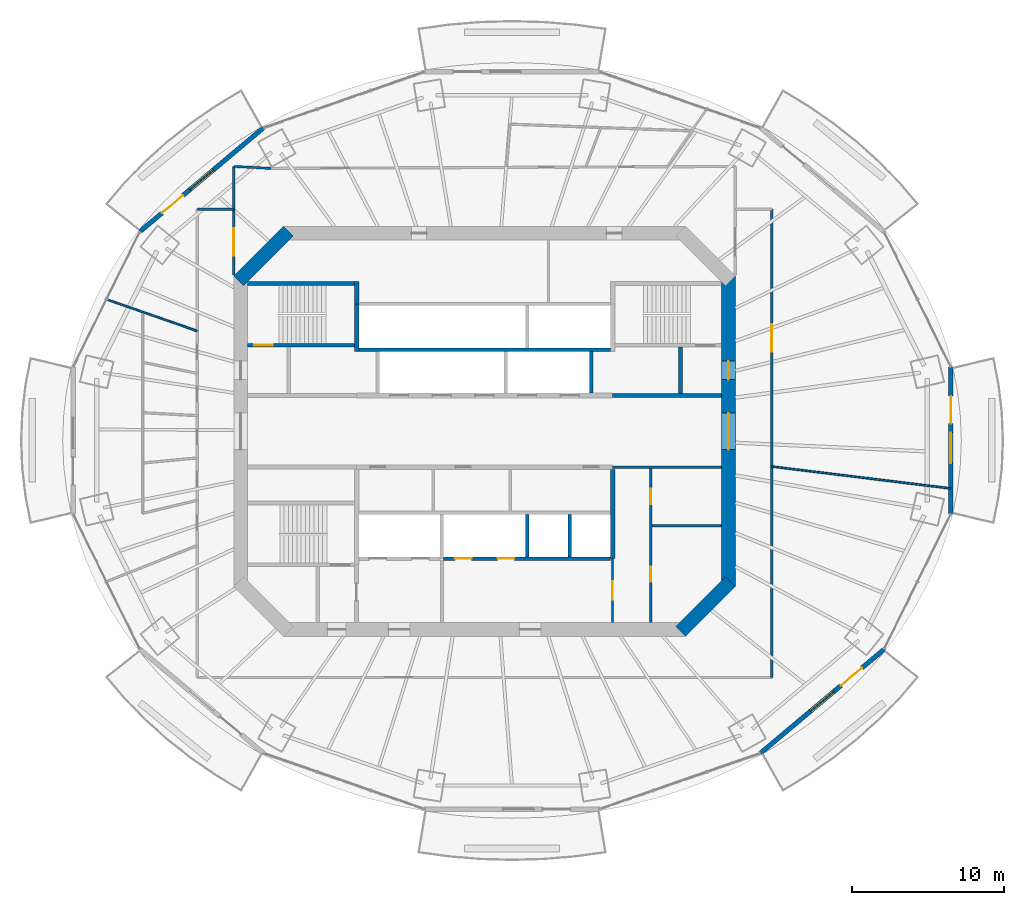
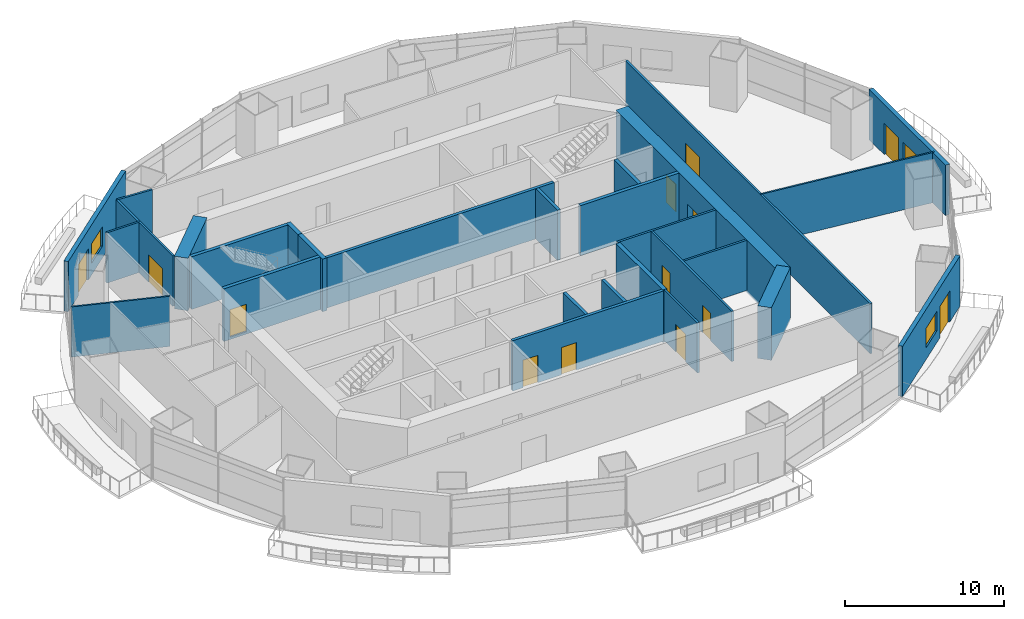
# One storey, part 12 of 16: 28 walls, 13 doors, 3 windows, 16 openings.
"""IFC4 building model written with IfcOpenShell, lengths in metres."""

import ifcopenshell
import ifcopenshell.guid

model = None  # the IFC model being written
_history = None  # IfcOwnerHistory: only IFC2X3 demands one
_inside = {}  # id of a spatial element -> (the spatial element, [elements in it])
_under = {}  # id of a project, library or spatial element -> (it, [spatial elements below it])
_declared = {}  # id of a project -> (the project, [libraries it declares])
_typed = {}  # id of a type object -> (the type object, [elements of that type])
_made_of = {}  # id of a material, layer set ... -> (it, [elements and type objects made of it])


def new_model(schema):
    """Start an empty IFC model of exactly this schema.

    Asked for "IFC4X3", IfcOpenShell would pick the latest addendum, in which some entities
    have other attributes; the version numbers below select the first issue.
    IFC2X3 requires an IfcOwnerHistory on every rooted entity: one is made here for all.
    """
    global model, _history
    if schema == "IFC4X3":
        model = ifcopenshell.file(schema_version=(4, 3, 0, 0))
    else:
        model = ifcopenshell.file(schema=schema)
    _inside.clear()
    _under.clear()
    _declared.clear()
    _typed.clear()
    _made_of.clear()
    _history = None
    if model.schema == "IFC2X3":
        org = make("IfcOrganization", Name="unknown")
        user = make(
            "IfcPersonAndOrganization",
            ThePerson=make("IfcPerson", FamilyName="unknown"),
            TheOrganization=org,
        )
        app = make(
            "IfcApplication",
            ApplicationDeveloper=org,
            Version="unknown",
            ApplicationFullName="unknown",
            ApplicationIdentifier="unknown",
        )
        _history = make(
            "IfcOwnerHistory",
            OwningUser=user,
            OwningApplication=app,
            ChangeAction="ADDED",
            CreationDate=0,
        )
    return model


def make(cls, **values):
    """One entity of the class cls with the attributes given. An attribute that is None is left unset."""
    return model.create_entity(
        cls, **{name: value for name, value in values.items() if value is not None}
    )


def rooted(cls, **values):
    """An entity with a GlobalId (a new one), such as an element, a storey or a relation."""
    return make(cls, GlobalId=ifcopenshell.guid.new(), OwnerHistory=_history, **values)


def si_unit(unit_type, name, prefix=None):
    """IfcSIUnit, for example si_unit("LENGTHUNIT", "METRE", prefix="MILLI")."""
    return make("IfcSIUnit", UnitType=unit_type, Prefix=prefix, Name=name)


def assignment(units):
    """IfcUnitAssignment: the units of a project."""
    return None if units is None else make("IfcUnitAssignment", Units=units)


def point(xyz):
    """IfcCartesianPoint."""
    return None if xyz is None else make("IfcCartesianPoint", Coordinates=xyz)


def direction(xyz):
    """IfcDirection."""
    return None if xyz is None else make("IfcDirection", DirectionRatios=xyz)


def frame(location, z_axis=None, x_axis=None):
    """IfcAxis2Placement3D, a coordinate frame: its origin and axes. An axis left out is left unset."""
    return make(
        "IfcAxis2Placement3D",
        Location=point(location),
        Axis=direction(z_axis),
        RefDirection=direction(x_axis),
    )


def frame_2d(location, x_axis=None):
    """IfcAxis2Placement2D, a coordinate frame in the plane: its origin and x axis."""
    return make(
        "IfcAxis2Placement2D", Location=point(location), RefDirection=direction(x_axis)
    )


def origin():
    """The frame at (0, 0, 0) with its axes left unset."""
    return frame((0.0, 0.0, 0.0))


def place(relative_to, where):
    """IfcLocalPlacement: puts the frame where relative to a parent placement (None: the world)."""
    return make(
        "IfcLocalPlacement", PlacementRelTo=relative_to, RelativePlacement=where
    )


def context(
    kind, dimensions, precision=None, world=None, true_north=None, identifier=None
):
    """IfcGeometricRepresentationContext, for example the 3D "Model" context."""
    return make(
        "IfcGeometricRepresentationContext",
        ContextIdentifier=identifier,
        ContextType=kind,
        CoordinateSpaceDimension=dimensions,
        Precision=precision,
        WorldCoordinateSystem=world,
        TrueNorth=true_north,
    )


def subcontext(parent, identifier, kind, view, scale=None):
    """IfcGeometricRepresentationSubContext, for example "Body" below "Model"."""
    return make(
        "IfcGeometricRepresentationSubContext",
        ContextIdentifier=identifier,
        ContextType=kind,
        ParentContext=parent,
        TargetScale=scale,
        TargetView=view,
    )


def project(units=None, contexts=None):
    """IfcProject with its units and contexts."""
    return rooted(
        "IfcProject",
        Name="project",
        RepresentationContexts=contexts,
        UnitsInContext=assignment(units),
    )


def spatial(cls, under=None, at=None, **own):
    """A site, building, storey or space (cls), placed at a placement, below another one or the project."""
    s = rooted(cls, ObjectPlacement=at, **own)
    if under is not None:
        _under.setdefault(under.id(), (under, []))[1].append(s)
    return s


def profile(cls, at=None, kind="AREA", **sizes):
    """A parametric profile (cls). Its sizes go by their IFC names, for example OverallWidth=200.0."""
    return make(cls, ProfileType=kind, Position=at, **sizes)


def rectangle(**sizes):
    """IfcRectangleProfileDef."""
    return profile("IfcRectangleProfileDef", **sizes)


def extrude(swept, where, along, depth):
    """IfcExtrudedAreaSolid: the profile swept, set in the frame where, extruded along a direction by depth."""
    return make(
        "IfcExtrudedAreaSolid",
        SweptArea=swept,
        Position=where,
        ExtrudedDirection=direction(along),
        Depth=depth,
    )


def shape(context_of_items, identifier, shape_type, items):
    """IfcShapeRepresentation: the items that make up one representation, for example the "Body"."""
    return make(
        "IfcShapeRepresentation",
        ContextOfItems=context_of_items,
        RepresentationIdentifier=identifier,
        RepresentationType=shape_type,
        Items=items,
    )


def material(Name=None, Category=None):
    """IfcMaterial."""
    return make("IfcMaterial", Name=Name, Category=Category)


def layer(
    of_material, thickness, ventilated=None, Name=None, Category=None, Priority=None
):
    """IfcMaterialLayer: one layer of a wall or slab, of a material (None: an air gap)."""
    return make(
        "IfcMaterialLayer",
        Material=of_material,
        LayerThickness=thickness,
        IsVentilated=ventilated,
        Name=Name,
        Category=Category,
        Priority=Priority,
    )


def layer_set(layers, Name=None):
    """IfcMaterialLayerSet."""
    return make("IfcMaterialLayerSet", MaterialLayers=layers, LayerSetName=Name)


def made_of(thing, what):
    """Note that an element or type object is made of a material, layer set ...; save() writes the relation."""
    if what is not None:
        _made_of.setdefault(what.id(), (what, []))[1].append(thing)
    return thing


def type_object(cls, material=None, **own):
    """A type object (cls), such as IfcWallType, which elements share."""
    return made_of(rooted(cls, **own), material)


def element(
    cls,
    number,
    at=None,
    inside=None,
    cuts=None,
    type_object=None,
    material=None,
    context=None,
    identifier="Body",
    shape_type=None,
    held_by="IfcProductDefinitionShape",
    body=None,
    shapes=None,
    **own,
):
    """One element of the class cls, such as IfcWall. Its Tag is "e" and its number.

    at: its placement. inside: the storey or other place that contains it. cuts: it is an
    opening in that element (IfcRelVoidsElement). A single representation is given by context,
    identifier, shape_type and body (its items); several are given by shapes. held_by: the class
    of the entity that holds the representations. save() writes the other relations.
    """
    e = rooted(cls, Tag="e%d" % number, ObjectPlacement=at, **own)
    if body is not None:
        shapes = [shape(context, identifier, shape_type, body)]
    if shapes is not None:
        e.Representation = make(held_by, Representations=shapes)
    if inside is not None:
        _inside.setdefault(inside.id(), (inside, []))[1].append(e)
    if cuts is not None:
        rooted(
            "IfcRelVoidsElement", RelatingBuildingElement=cuts, RelatedOpeningElement=e
        )
    if type_object is not None:
        _typed.setdefault(type_object.id(), (type_object, []))[1].append(e)
    return made_of(e, material)


def fill(opening, filler):
    """IfcRelFillsElement: the door or window that sits in an opening."""
    return rooted(
        "IfcRelFillsElement",
        RelatingOpeningElement=opening,
        RelatedBuildingElement=filler,
    )


def aggregate(whole, parts):
    """IfcRelAggregates: a whole, such as a stair, and the parts it consists of."""
    return rooted("IfcRelAggregates", RelatingObject=whole, RelatedObjects=parts)


def save(model, path):
    """Write the relations noted so far, then the file.

    IfcRelAggregates (storeys below a building ...), IfcRelContainedInSpatialStructure (elements
    in a storey), IfcRelDefinesByType, IfcRelAssociatesMaterial and IfcRelDeclares: one each for
    every whole, place, type object, material and project.
    """
    for whole, parts in _under.values():
        aggregate(whole, parts)
    for where, things in _inside.values():
        rooted(
            "IfcRelContainedInSpatialStructure",
            RelatedElements=things,
            RelatingStructure=where,
        )
    for kind, things in _typed.values():
        rooted("IfcRelDefinesByType", RelatedObjects=things, RelatingType=kind)
    for what, things in _made_of.values():
        rooted("IfcRelAssociatesMaterial", RelatedObjects=things, RelatingMaterial=what)
    for by, libraries in _declared.values():
        rooted("IfcRelDeclares", RelatingContext=by, RelatedDefinitions=libraries)
    model.write(path)


model = new_model("IFC4")

# Units and contexts
model_context = context("Model", 3, precision=1e-05, world=origin(), true_north=direction((0.0, 1.0)))
body_context = subcontext(model_context, "Body", "Model", "MODEL_VIEW")
ifc_project = project(units=[si_unit("LENGTHUNIT", "METRE"), si_unit("AREAUNIT", "SQUARE_METRE"), si_unit("VOLUMEUNIT", "CUBIC_METRE"), si_unit("PLANEANGLEUNIT", "RADIAN"), si_unit("MASSUNIT", "GRAM", prefix="KILO")], contexts=[model_context])

# Site, building, storey
site_placement = place(None, origin())
site = spatial("IfcSite", under=ifc_project, at=site_placement, CompositionType="ELEMENT")
building_placement = place(site_placement, origin())
building = spatial("IfcBuilding", under=site, at=building_placement, Name="Marenthal Gate Tower", CompositionType="ELEMENT")
storey_placement = place(building_placement, frame((0.0, 0.0, 268.949951171875)))
storey = spatial("IfcBuildingStorey", under=building, at=storey_placement, Name="L60", CompositionType="ELEMENT", Elevation=268.949951171875)

# Wall
ifc_material_1 = material(Name="Concrete 60 MPa", Category="concrete")
ifc_layer_1 = layer(ifc_material_1, 0.89990234375)
ifc_layer_set_1 = layer_set([ifc_layer_1], Name="Core shear wall 900")
wall_type_1 = type_object("IfcWallType", Name="Core shear wall 900", PredefinedType="SHEAR", material=ifc_layer_set_1)
wall_1_placement = place(storey_placement, frame((12.8681640625, -13.1318359375, -0.179931640625), z_axis=(0.0, 0.0, 1.0), x_axis=(0.707106781187, 0.707106781187, 0.0)))
element("IfcWall", 1, at=wall_1_placement, inside=storey, type_object=wall_type_1, Name="Core wall 01", PredefinedType="SHEAR", context=body_context, shape_type="SweptSolid", body=[
    extrude(rectangle(XDim=4.615478515625, YDim=0.89990234375, at=frame_2d((2.3076171875, 0.0))), origin(), (0.0, 0.0, 1.0), 4.030029296875),
])

# Wall, openings, doors
wall_2_placement = place(storey_placement, frame((16.0, -10.186279296875, -0.179931640625), z_axis=(0.0, 0.0, 1.0), x_axis=(0.0, 1.0, 0.0)))
wall_2 = element("IfcWall", 2, at=wall_2_placement, inside=storey, type_object=wall_type_1, Name="Core wall 02", PredefinedType="SHEAR", context=body_context, shape_type="SweptSolid", body=[
    extrude(rectangle(XDim=20.37255859375, YDim=0.89990234375, at=frame_2d((10.186279296875, 0.0))), origin(), (0.0, 0.0, 1.0), 4.030029296875),
])
opening_1_placement = place(wall_2_placement, frame((8.986328125, 0.0, 0.179931640625)))
opening_1 = element("IfcOpeningElement", 3, at=opening_1_placement, cuts=wall_2, Name="Opening D003.02", PredefinedType="OPENING", context=body_context, shape_type="SweptSolid", body=[
    extrude(rectangle(XDim=2.39990234375, YDim=2.10009765625, at=frame_2d((1.199951171875, 1.050048828125))), frame((0.0, 0.4599609375, 0.0), z_axis=(0.0, -1.0, 0.0), x_axis=(1.0, 0.0, 0.0)), (0.0, 0.0, 1.0), 0.919921875),
])
opening_2_placement = place(wall_2_placement, frame((13.58642578125, 0.0, 0.179931640625)))
opening_2 = element("IfcOpeningElement", 4, at=opening_2_placement, cuts=wall_2, Name="Opening D001.05", PredefinedType="OPENING", context=body_context, shape_type="SweptSolid", body=[
    extrude(rectangle(XDim=1.199951171875, YDim=2.10009765625, at=frame_2d((0.60009765625, 1.050048828125))), frame((0.0, 0.4599609375, 0.0), z_axis=(0.0, -1.0, 0.0), x_axis=(1.0, 0.0, 0.0)), (0.0, 0.0, 1.0), 0.919921875),
])
ifc_material_2 = material(Name="Steel fire door", Category="steel")
door_type_1 = type_object("IfcDoorType", Name="Double fire door FD 45 2400 x 2100", OperationType="DOUBLE_DOOR_SINGLE_SWING", PredefinedType="DOOR", material=ifc_material_2)
door_1_placement = place(opening_1_placement, origin())
door_1 = element("IfcDoor", 5, at=door_1_placement, inside=storey, type_object=door_type_1, Name="Door D003.02", OperationType="DOUBLE_DOOR_SINGLE_SWING", OverallHeight=2.10009765625, OverallWidth=2.39990234375, PredefinedType="DOOR", context=body_context, shape_type="SweptSolid", body=[
    extrude(rectangle(XDim=2.39990234375, YDim=2.10009765625, at=frame_2d((1.199951171875, 1.050048828125))), frame((0.0, 0.02490234375, 0.0), z_axis=(0.0, -1.0, 0.0), x_axis=(1.0, 0.0, 0.0)), (0.0, 0.0, 1.0), 0.050048828125),
])
fill(opening_1, door_1)
ifc_material_3 = material(Name="Steel fire door", Category="steel")
door_type_2 = type_object("IfcDoorType", Name="Fire door FD 90 1200 x 2100", OperationType="NOTDEFINED", PredefinedType="DOOR", material=ifc_material_3)
door_2_placement = place(opening_2_placement, origin())
door_2 = element("IfcDoor", 6, at=door_2_placement, inside=storey, type_object=door_type_2, Name="Door D001.05", OperationType="SINGLE_SWING_RIGHT", OverallHeight=2.10009765625, OverallWidth=1.199951171875, PredefinedType="DOOR", context=body_context, shape_type="SweptSolid", body=[
    extrude(rectangle(XDim=1.199951171875, YDim=2.10009765625, at=frame_2d((0.60009765625, 1.050048828125))), frame((0.0, 0.02490234375, 0.0), z_axis=(0.0, -1.0, 0.0), x_axis=(1.0, 0.0, 0.0)), (0.0, 0.0, 1.0), 0.050048828125),
])
fill(opening_2, door_2)

# Walls
wall_3_placement = place(storey_placement, frame((-12.8681640625, 13.1318359375, -0.179931640625), z_axis=(0.0, 0.0, 1.0), x_axis=(-0.707106781187, -0.707106781187, 0.0)))
element("IfcWall", 7, at=wall_3_placement, inside=storey, type_object=wall_type_1, Name="Core wall 05", PredefinedType="SHEAR", context=body_context, shape_type="SweptSolid", body=[
    extrude(rectangle(XDim=4.615478515625, YDim=0.89990234375, at=frame_2d((2.3076171875, 0.0))), origin(), (0.0, 0.0, 1.0), 4.030029296875),
])
ifc_material_4 = material(Name="Concrete 50 MPa", Category="concrete")
ifc_layer_2 = layer(ifc_material_4, 0.300048828125)
ifc_layer_set_2 = layer_set([ifc_layer_2], Name="Hoistway shear wall 300")
wall_type_2 = type_object("IfcWallType", Name="Hoistway shear wall 300", PredefinedType="SHEAR", material=ifc_layer_set_2)
wall_4_placement = place(storey_placement, frame((-8.39990234375, 5.239990234375, -0.179931640625), z_axis=(0.0, 0.0, 1.0), x_axis=(0.0, 1.0, 0.0)))
element("IfcWall", 8, at=wall_4_placement, inside=storey, type_object=wall_type_2, Name="Hoistway wall 31", PredefinedType="SHEAR", context=body_context, shape_type="SweptSolid", body=[
    extrude(rectangle(XDim=3.110107421875, YDim=0.300048828125, at=frame_2d((1.55517578125, 0.0))), origin(), (0.0, 0.0, 1.0), 4.030029296875),
])
wall_5_placement = place(storey_placement, frame((8.39990234375, -8.35009765625, -0.179931640625), z_axis=(0.0, 0.0, 1.0), x_axis=(0.0, 1.0, 0.0)))
element("IfcWall", 9, at=wall_5_placement, inside=storey, type_object=wall_type_2, Name="Hoistway wall 45", PredefinedType="SHEAR", context=body_context, shape_type="SweptSolid", body=[
    extrude(rectangle(XDim=5.85009765625, YDim=0.300048828125, at=frame_2d((2.925048828125, 0.0))), origin(), (0.0, 0.0, 1.0), 4.030029296875),
])

# Wall, openings, doors
ifc_material_5 = material(Name="Concrete 40 MPa", Category="concrete")
ifc_layer_3 = layer(ifc_material_5, 0.219970703125)
ifc_layer_set_3 = layer_set([ifc_layer_3], Name="Hoistway wall 220")
wall_type_3 = type_object("IfcWallType", Name="Hoistway wall 220", PredefinedType="STANDARD", material=ifc_layer_set_3)
wall_6_placement = place(storey_placement, frame((-2.68994140625, -8.35009765625, 0.0), z_axis=(0.0, 0.0, 1.0), x_axis=(1.0, 0.0, 0.0)))
wall_6 = element("IfcWall", 10, at=wall_6_placement, inside=storey, type_object=wall_type_3, Name="Hoistway wall 11", PredefinedType="STANDARD", context=body_context, shape_type="SweptSolid", body=[
    extrude(rectangle(XDim=10.93994140625, YDim=0.219970703125, at=frame_2d((5.469970703125, 0.0))), origin(), (0.0, 0.0, 1.0), 3.85009765625),
])
opening_3_placement = place(wall_6_placement, frame((0.739990234375, 0.0, 0.0)))
opening_3 = element("IfcOpeningElement", 11, at=opening_3_placement, cuts=wall_6, Name="Opening LD-SV1", PredefinedType="OPENING", context=body_context, shape_type="SweptSolid", body=[
    extrude(rectangle(XDim=1.10009765625, YDim=2.10009765625, at=frame_2d((0.550048828125, 1.050048828125))), frame((0.0, 0.1201171875, 0.0), z_axis=(0.0, -1.0, 0.0), x_axis=(1.0, 0.0, 0.0)), (0.0, 0.0, 1.0), 0.239990234375),
])
opening_4_placement = place(wall_6_placement, frame((3.5400390625, 0.0, 0.0)))
opening_4 = element("IfcOpeningElement", 12, at=opening_4_placement, cuts=wall_6, Name="Opening LD-SV2", PredefinedType="OPENING", context=body_context, shape_type="SweptSolid", body=[
    extrude(rectangle(XDim=1.10009765625, YDim=2.10009765625, at=frame_2d((0.550048828125, 1.050048828125))), frame((0.0, 0.1201171875, 0.0), z_axis=(0.0, -1.0, 0.0), x_axis=(1.0, 0.0, 0.0)), (0.0, 0.0, 1.0), 0.239990234375),
])
ifc_material_6 = material(Name="Stainless steel sliding door", Category="steel")
door_type_3 = type_object("IfcDoorType", Name="Lift landing door FD 90 1100 x 2100", OperationType="DOUBLE_DOOR_SLIDING", PredefinedType="DOOR", material=ifc_material_6)
door_3_placement = place(opening_3_placement, origin())
door_3 = element("IfcDoor", 13, at=door_3_placement, inside=storey, type_object=door_type_3, Name="Lift landing door SV1", OperationType="DOUBLE_DOOR_SLIDING", OverallHeight=2.10009765625, OverallWidth=1.10009765625, PredefinedType="DOOR", context=body_context, shape_type="SweptSolid", body=[
    extrude(rectangle(XDim=1.10009765625, YDim=2.10009765625, at=frame_2d((0.550048828125, 1.050048828125))), frame((0.0, 0.02490234375, 0.0), z_axis=(0.0, -1.0, 0.0), x_axis=(1.0, 0.0, 0.0)), (0.0, 0.0, 1.0), 0.050048828125),
])
fill(opening_3, door_3)
door_4_placement = place(opening_4_placement, origin())
door_4 = element("IfcDoor", 14, at=door_4_placement, inside=storey, type_object=door_type_3, Name="Lift landing door SV2", OperationType="DOUBLE_DOOR_SLIDING", OverallHeight=2.10009765625, OverallWidth=1.10009765625, PredefinedType="DOOR", context=body_context, shape_type="SweptSolid", body=[
    extrude(rectangle(XDim=1.10009765625, YDim=2.10009765625, at=frame_2d((0.550048828125, 1.050048828125))), frame((0.0, 0.02490234375, 0.0), z_axis=(0.0, -1.0, 0.0), x_axis=(1.0, 0.0, 0.0)), (0.0, 0.0, 1.0), 0.050048828125),
])
fill(opening_4, door_4)

# Walls
wall_7_placement = place(storey_placement, frame((-8.25, 5.35009765625, 0.0), z_axis=(0.0, 0.0, 1.0), x_axis=(1.0, 0.0, 0.0)))
element("IfcWall", 15, at=wall_7_placement, inside=storey, type_object=wall_type_3, Name="Hoistway wall 21", PredefinedType="STANDARD", context=body_context, shape_type="SweptSolid", body=[
    extrude(rectangle(XDim=16.5, YDim=0.219970703125, at=frame_2d((8.25, 0.0))), origin(), (0.0, 0.0, 1.0), 3.85009765625),
])
for number, where, z_axis, x_axis, name in (
    (16, (2.800048828125, -8.239990234375, 0.0), (0.0, 0.0, 1.0), (0.0, 1.0, 0.0), "Hoistway wall 39"),
    (17, (5.60009765625, -8.239990234375, 0.0), (0.0, 0.0, 1.0), (0.0, 1.0, 0.0), "Hoistway wall 42"),
):
    element("IfcWall", number, at=place(storey_placement, frame(where, z_axis=z_axis, x_axis=x_axis)), inside=storey, type_object=wall_type_3, Name=name, PredefinedType="STANDARD", context=body_context, shape_type="SweptSolid", body=[
        extrude(rectangle(XDim=2.780029296875, YDim=0.219970703125, at=frame_2d((1.39013671875, 0.0))), origin(), (0.0, 0.0, 1.0), 3.85009765625),
    ])
wall_8_placement = place(storey_placement, frame((7.0, 2.5, 0.0), z_axis=(0.0, 0.0, 1.0), x_axis=(0.0, 1.0, 0.0)))
element("IfcWall", 18, at=wall_8_placement, inside=storey, type_object=wall_type_3, Name="Hoistway wall 43", PredefinedType="STANDARD", context=body_context, shape_type="SweptSolid", body=[
    extrude(rectangle(XDim=2.739990234375, YDim=0.219970703125, at=frame_2d((1.3701171875, 0.0))), origin(), (0.0, 0.0, 1.0), 3.85009765625),
])
ifc_material_7 = material(Name="Gypsum board on steel studs", Category="steel")
ifc_layer_4 = layer(ifc_material_7, 0.1201171875)
ifc_layer_set_4 = layer_set([ifc_layer_4], Name="Partition 120")
wall_type_4 = type_object("IfcWallType", Name="Partition 120", PredefinedType="PARTITIONING", material=ifc_layer_set_4)
wall_9_placement = place(storey_placement, frame((-18.85009765625, 6.580078125, 0.0), z_axis=(0.0, 0.0, 1.0), x_axis=(-0.944129608836, 0.329574394819, 0.0)))
element("IfcWall", 19, at=wall_9_placement, inside=storey, type_object=wall_type_4, Name="Partition wall 57", PredefinedType="PARTITIONING", context=body_context, shape_type="SweptSolid", body=[
    extrude(rectangle(XDim=6.306884765625, YDim=0.1201171875, at=frame_2d((3.1533203125, 0.0))), origin(), (0.0, 0.0, 1.0), 3.85009765625),
])
wall_10_placement = place(storey_placement, frame((18.85009765625, -2.310302734375, 0.0), z_axis=(0.0, 0.0, 1.0), x_axis=(0.99257271965, -0.121652769002, 0.0)))
element("IfcWall", 20, at=wall_10_placement, inside=storey, type_object=wall_type_4, Name="Partition wall 69", PredefinedType="PARTITIONING", context=body_context, shape_type="SweptSolid", body=[
    extrude(rectangle(XDim=11.83447265625, YDim=0.1201171875, at=frame_2d((5.917236328125, 0.0))), origin(), (0.0, 0.0, 1.0), 3.85009765625),
])
ifc_material_8 = material(Name="Gypsum board on steel studs", Category="steel")
ifc_layer_5 = layer(ifc_material_8, 0.14990234375)
ifc_layer_set_5 = layer_set([ifc_layer_5], Name="Partition 150")
wall_type_5 = type_object("IfcWallType", Name="Partition 150", PredefinedType="PARTITIONING", material=ifc_layer_set_5)
wall_11_placement = place(storey_placement, frame((10.97509765625, -6.199951171875, 0.0), z_axis=(0.0, 0.0, 1.0), x_axis=(1.0, 0.0, 0.0)))
element("IfcWall", 21, at=wall_11_placement, inside=storey, type_object=wall_type_5, Name="Partition wall 12", PredefinedType="PARTITIONING", context=body_context, shape_type="SweptSolid", body=[
    extrude(rectangle(XDim=4.574951171875, YDim=0.14990234375, at=frame_2d((2.28759765625, 0.0))), origin(), (0.0, 0.0, 1.0), 3.85009765625),
])
wall_12_placement = place(storey_placement, frame((8.39990234375, -2.35009765625, 0.0), z_axis=(0.0, 0.0, 1.0), x_axis=(1.0, 0.0, 0.0)))
element("IfcWall", 22, at=wall_12_placement, inside=storey, type_object=wall_type_5, Name="Partition wall 17", PredefinedType="PARTITIONING", context=body_context, shape_type="SweptSolid", body=[
    extrude(rectangle(XDim=7.150146484375, YDim=0.14990234375, at=frame_2d((3.5751953125, 0.0))), origin(), (0.0, 0.0, 1.0), 3.85009765625),
])

# Wall, opening, door
wall_13_placement = place(storey_placement, frame((8.39990234375, -12.550048828125, 0.0), z_axis=(0.0, 0.0, 1.0), x_axis=(0.0, 1.0, 0.0)))
wall_13 = element("IfcWall", 23, at=wall_13_placement, inside=storey, type_object=wall_type_5, Name="Partition wall 44", PredefinedType="PARTITIONING", context=body_context, shape_type="SweptSolid", body=[
    extrude(rectangle(XDim=4.199951171875, YDim=0.14990234375, at=frame_2d((2.10009765625, 0.0))), origin(), (0.0, 0.0, 1.0), 3.85009765625),
])
opening_5_placement = place(wall_13_placement, frame((1.5, 0.0, 0.0)))
opening_5 = element("IfcOpeningElement", 24, at=opening_5_placement, cuts=wall_13, Name="Opening D006.01", PredefinedType="OPENING", context=body_context, shape_type="SweptSolid", body=[
    extrude(rectangle(XDim=1.199951171875, YDim=2.10009765625, at=frame_2d((0.60009765625, 1.050048828125))), frame((0.0, 0.0849609375, 0.0), z_axis=(0.0, -1.0, 0.0), x_axis=(1.0, 0.0, 0.0)), (0.0, 0.0, 1.0), 0.169921875),
])
ifc_material_9 = material(Name="Steel fire door", Category="steel")
door_type_4 = type_object("IfcDoorType", Name="Fire door FD 45 1200 x 2100", OperationType="NOTDEFINED", PredefinedType="DOOR", material=ifc_material_9)
door_5_placement = place(opening_5_placement, frame((1.199951171875, 0.0, 0.0), z_axis=(0.0, 0.0, 1.0), x_axis=(-1.0, 0.0, 0.0)))
door_5 = element("IfcDoor", 25, at=door_5_placement, inside=storey, type_object=door_type_4, Name="Door D006.01", OperationType="SINGLE_SWING_LEFT", OverallHeight=2.10009765625, OverallWidth=1.199951171875, PredefinedType="DOOR", context=body_context, shape_type="SweptSolid", body=[
    extrude(rectangle(XDim=1.199951171875, YDim=2.10009765625, at=frame_2d((0.60009765625, 1.050048828125))), frame((0.0, 0.02490234375, 0.0), z_axis=(0.0, -1.0, 0.0), x_axis=(1.0, 0.0, 0.0)), (0.0, 0.0, 1.0), 0.050048828125),
])
fill(opening_5, door_5)

# Wall, openings, doors
wall_14_placement = place(storey_placement, frame((10.89990234375, -12.550048828125, 0.0), z_axis=(0.0, 0.0, 1.0), x_axis=(0.0, 1.0, 0.0)))
wall_14 = element("IfcWall", 26, at=wall_14_placement, inside=storey, type_object=wall_type_5, Name="Partition wall 48", PredefinedType="PARTITIONING", context=body_context, shape_type="SweptSolid", body=[
    extrude(rectangle(XDim=10.125, YDim=0.14990234375, at=frame_2d((5.0625, 0.0))), origin(), (0.0, 0.0, 1.0), 3.85009765625),
])
opening_6_placement = place(wall_14_placement, frame((7.77490234375, 0.0, 0.0)))
opening_6 = element("IfcOpeningElement", 27, at=opening_6_placement, cuts=wall_14, Name="Opening D005.06", PredefinedType="OPENING", context=body_context, shape_type="SweptSolid", body=[
    extrude(rectangle(XDim=1.0, YDim=2.10009765625, at=frame_2d((0.5, 1.050048828125))), frame((0.0, 0.0849609375, 0.0), z_axis=(0.0, -1.0, 0.0), x_axis=(1.0, 0.0, 0.0)), (0.0, 0.0, 1.0), 0.169921875),
])
opening_7_placement = place(wall_14_placement, frame((2.675048828125, 0.0, 0.0)))
opening_7 = element("IfcOpeningElement", 28, at=opening_7_placement, cuts=wall_14, Name="Opening D005.07", PredefinedType="OPENING", context=body_context, shape_type="SweptSolid", body=[
    extrude(rectangle(XDim=1.0, YDim=2.10009765625, at=frame_2d((0.5, 1.050048828125))), frame((0.0, 0.0849609375, 0.0), z_axis=(0.0, -1.0, 0.0), x_axis=(1.0, 0.0, 0.0)), (0.0, 0.0, 1.0), 0.169921875),
])
ifc_material_10 = material(Name="Steel fire door", Category="steel")
door_type_5 = type_object("IfcDoorType", Name="Fire door FD 45 1000 x 2100", OperationType="NOTDEFINED", PredefinedType="DOOR", material=ifc_material_10)
door_6_placement = place(opening_6_placement, frame((1.0, 0.0, 0.0), z_axis=(0.0, 0.0, 1.0), x_axis=(-1.0, 0.0, 0.0)))
door_6 = element("IfcDoor", 29, at=door_6_placement, inside=storey, type_object=door_type_5, Name="Door D005.06", OperationType="SINGLE_SWING_LEFT", OverallHeight=2.10009765625, OverallWidth=1.0, PredefinedType="DOOR", context=body_context, shape_type="SweptSolid", body=[
    extrude(rectangle(XDim=1.0, YDim=2.10009765625, at=frame_2d((0.5, 1.050048828125))), frame((0.0, 0.02490234375, 0.0), z_axis=(0.0, -1.0, 0.0), x_axis=(1.0, 0.0, 0.0)), (0.0, 0.0, 1.0), 0.050048828125),
])
fill(opening_6, door_6)
door_7_placement = place(opening_7_placement, frame((1.0, 0.0, 0.0), z_axis=(0.0, 0.0, 1.0), x_axis=(-1.0, 0.0, 0.0)))
door_7 = element("IfcDoor", 30, at=door_7_placement, inside=storey, type_object=door_type_5, Name="Door D005.07", OperationType="SINGLE_SWING_LEFT", OverallHeight=2.10009765625, OverallWidth=1.0, PredefinedType="DOOR", context=body_context, shape_type="SweptSolid", body=[
    extrude(rectangle(XDim=1.0, YDim=2.10009765625, at=frame_2d((0.5, 1.050048828125))), frame((0.0, 0.02490234375, 0.0), z_axis=(0.0, -1.0, 0.0), x_axis=(1.0, 0.0, 0.0)), (0.0, 0.0, 1.0), 0.050048828125),
])
fill(opening_7, door_7)

# Wall
wall_15_placement = place(storey_placement, frame((-18.85009765625, 14.580078125, 0.0), z_axis=(0.0, 0.0, 1.0), x_axis=(1.0, 0.0, 0.0)))
element("IfcWall", 31, at=wall_15_placement, inside=storey, type_object=wall_type_5, Name="Partition wall 58", PredefinedType="PARTITIONING", context=body_context, shape_type="SweptSolid", body=[
    extrude(rectangle(XDim=2.400146484375, YDim=0.14990234375, at=frame_2d((1.2001953125, 0.0))), origin(), (0.0, 0.0, 1.0), 3.85009765625),
])

# Wall, opening, door
wall_16_placement = place(storey_placement, frame((-16.449951171875, 10.25, 0.0), z_axis=(0.0, 0.0, 1.0), x_axis=(0.0, 1.0, 0.0)))
wall_16 = element("IfcWall", 32, at=wall_16_placement, inside=storey, type_object=wall_type_5, Name="Partition wall 59", PredefinedType="PARTITIONING", context=body_context, shape_type="SweptSolid", body=[
    extrude(rectangle(XDim=7.130126953125, YDim=0.14990234375, at=frame_2d((3.56494140625, 0.0))), origin(), (0.0, 0.0, 1.0), 3.85009765625),
])
opening_8_placement = place(wall_16_placement, frame((1.264892578125, 0.0, 0.0)))
opening_8 = element("IfcOpeningElement", 33, at=opening_8_placement, cuts=wall_16, Name="Opening D014.04", PredefinedType="OPENING", context=body_context, shape_type="SweptSolid", body=[
    extrude(rectangle(XDim=1.800048828125, YDim=2.10009765625, at=frame_2d((0.89990234375, 1.050048828125))), frame((0.0, 0.0849609375, 0.0), z_axis=(0.0, -1.0, 0.0), x_axis=(1.0, 0.0, 0.0)), (0.0, 0.0, 1.0), 0.169921875),
])
ifc_material_11 = material(Name="Timber door", Category="wood")
door_type_6 = type_object("IfcDoorType", Name="Double door 1800 x 2100", OperationType="DOUBLE_DOOR_SINGLE_SWING", PredefinedType="DOOR", material=ifc_material_11)
door_8_placement = place(opening_8_placement, origin())
door_8 = element("IfcDoor", 34, at=door_8_placement, inside=storey, type_object=door_type_6, Name="Door D014.04", OperationType="DOUBLE_DOOR_SINGLE_SWING", OverallHeight=2.10009765625, OverallWidth=1.800048828125, PredefinedType="DOOR", context=body_context, shape_type="SweptSolid", body=[
    extrude(rectangle(XDim=1.800048828125, YDim=2.10009765625, at=frame_2d((0.89990234375, 1.050048828125))), frame((0.0, 0.02490234375, 0.0), z_axis=(0.0, -1.0, 0.0), x_axis=(1.0, 0.0, 0.0)), (0.0, 0.0, 1.0), 0.050048828125),
])
fill(opening_8, door_8)

# Wall
wall_17_placement = place(storey_placement, frame((-16.449951171875, 17.380126953125, 0.0), z_axis=(0.0, 0.0, 1.0), x_axis=(0.998580451671, -0.05326426138, 0.0)))
element("IfcWall", 35, at=wall_17_placement, inside=storey, type_object=wall_type_5, Name="Partition wall 60", PredefinedType="PARTITIONING", context=body_context, shape_type="SweptSolid", body=[
    extrude(rectangle(XDim=2.4521484375, YDim=0.14990234375, at=frame_2d((1.22607421875, 0.0))), origin(), (0.0, 0.0, 1.0), 3.85009765625),
])

# Wall, opening, door
wall_18_placement = place(storey_placement, frame((18.85009765625, 14.580078125, 0.0), z_axis=(0.0, 0.0, 1.0), x_axis=(0.0, -1.0, 0.0)))
wall_18 = element("IfcWall", 36, at=wall_18_placement, inside=storey, type_object=wall_type_5, Name="Partition wall 70", PredefinedType="PARTITIONING", context=body_context, shape_type="SweptSolid", body=[
    extrude(rectangle(XDim=30.72998046875, YDim=0.14990234375, at=frame_2d((15.364990234375, 0.0))), origin(), (0.0, 0.0, 1.0), 3.85009765625),
])
opening_9_placement = place(wall_18_placement, frame((7.544921875, 0.0, 0.0)))
opening_9 = element("IfcOpeningElement", 37, at=opening_9_placement, cuts=wall_18, Name="Opening D014.03", PredefinedType="OPENING", context=body_context, shape_type="SweptSolid", body=[
    extrude(rectangle(XDim=1.800048828125, YDim=2.10009765625, at=frame_2d((0.89990234375, 1.050048828125))), frame((0.0, 0.0849609375, 0.0), z_axis=(0.0, -1.0, 0.0), x_axis=(1.0, 0.0, 0.0)), (0.0, 0.0, 1.0), 0.169921875),
])
door_9_placement = place(opening_9_placement, origin())
door_9 = element("IfcDoor", 38, at=door_9_placement, inside=storey, type_object=door_type_6, Name="Door D014.03", OperationType="DOUBLE_DOOR_SINGLE_SWING", OverallHeight=2.10009765625, OverallWidth=1.800048828125, PredefinedType="DOOR", context=body_context, shape_type="SweptSolid", body=[
    extrude(rectangle(XDim=1.800048828125, YDim=2.10009765625, at=frame_2d((0.89990234375, 1.050048828125))), frame((0.0, 0.02490234375, 0.0), z_axis=(0.0, -1.0, 0.0), x_axis=(1.0, 0.0, 0.0)), (0.0, 0.0, 1.0), 0.050048828125),
])
fill(opening_9, door_9)

# Walls
ifc_material_12 = material(Name="Concrete 40 MPa", Category="concrete")
ifc_layer_6 = layer(ifc_material_12, 0.25)
ifc_layer_set_6 = layer_set([ifc_layer_6], Name="Stair enclosure wall 250")
wall_type_6 = type_object("IfcWallType", Name="Stair enclosure wall 250", PredefinedType="STANDARD", material=ifc_layer_set_6)
wall_19_placement = place(storey_placement, frame((8.39990234375, 2.35009765625, 0.0), z_axis=(0.0, 0.0, 1.0), x_axis=(1.0, 0.0, 0.0)))
element("IfcWall", 39, at=wall_19_placement, inside=storey, type_object=wall_type_6, Name="Stair wall 20", PredefinedType="STANDARD", context=body_context, shape_type="SweptSolid", body=[
    extrude(rectangle(XDim=7.150146484375, YDim=0.25, at=frame_2d((3.5751953125, 0.0))), origin(), (0.0, 0.0, 1.0), 3.85009765625),
])
wall_20_placement = place(storey_placement, frame((12.85009765625, 2.47509765625, 0.0), z_axis=(0.0, 0.0, 1.0), x_axis=(0.0, 1.0, 0.0)))
element("IfcWall", 40, at=wall_20_placement, inside=storey, type_object=wall_type_6, Name="Stair wall 49", PredefinedType="STANDARD", context=body_context, shape_type="SweptSolid", body=[
    extrude(rectangle(XDim=3.0498046875, YDim=0.25, at=frame_2d((1.52490234375, 0.0))), origin(), (0.0, 0.0, 1.0), 3.85009765625),
])

# Wall, opening, door
ifc_material_13 = material(Name="Concrete 50 MPa", Category="concrete")
ifc_layer_7 = layer(ifc_material_13, 0.25)
ifc_layer_set_7 = layer_set([ifc_layer_7], Name="Stair shear wall 250")
wall_type_7 = type_object("IfcWallType", Name="Stair shear wall 250", PredefinedType="SHEAR", material=ifc_layer_set_7)
wall_21_placement = place(storey_placement, frame((-15.550048828125, 5.64990234375, -0.179931640625), z_axis=(0.0, 0.0, 1.0), x_axis=(1.0, 0.0, 0.0)))
wall_21 = element("IfcWall", 41, at=wall_21_placement, inside=storey, type_object=wall_type_7, Name="Stair wall 22", PredefinedType="SHEAR", context=body_context, shape_type="SweptSolid", body=[
    extrude(rectangle(XDim=7.0, YDim=0.25, at=frame_2d((3.5, 0.0))), origin(), (0.0, 0.0, 1.0), 4.030029296875),
])
opening_10_placement = place(wall_21_placement, frame((0.449951171875, 0.0, 0.179931640625)))
opening_10 = element("IfcOpeningElement", 42, at=opening_10_placement, cuts=wall_21, Name="Opening D001.01", PredefinedType="OPENING", context=body_context, shape_type="SweptSolid", body=[
    extrude(rectangle(XDim=1.199951171875, YDim=2.10009765625, at=frame_2d((0.60009765625, 1.050048828125))), frame((0.0, 0.135009765625, 0.0), z_axis=(0.0, -1.0, 0.0), x_axis=(1.0, 0.0, 0.0)), (0.0, 0.0, 1.0), 0.27001953125),
])
door_10_placement = place(opening_10_placement, origin())
door_10 = element("IfcDoor", 43, at=door_10_placement, inside=storey, type_object=door_type_2, Name="Door D001.01", OperationType="SINGLE_SWING_RIGHT", OverallHeight=2.10009765625, OverallWidth=1.199951171875, PredefinedType="DOOR", context=body_context, shape_type="SweptSolid", body=[
    extrude(rectangle(XDim=1.199951171875, YDim=2.10009765625, at=frame_2d((0.60009765625, 1.050048828125))), frame((0.0, 0.02490234375, 0.0), z_axis=(0.0, -1.0, 0.0), x_axis=(1.0, 0.0, 0.0)), (0.0, 0.0, 1.0), 0.050048828125),
])
fill(opening_10, door_10)

# Walls
wall_22_placement = place(storey_placement, frame((-15.550048828125, 9.699951171875, -0.179931640625), z_axis=(0.0, 0.0, 1.0), x_axis=(1.0, 0.0, 0.0)))
element("IfcWall", 44, at=wall_22_placement, inside=storey, type_object=wall_type_7, Name="Stair wall 25", PredefinedType="SHEAR", context=body_context, shape_type="SweptSolid", body=[
    extrude(rectangle(XDim=7.0, YDim=0.25, at=frame_2d((3.5, 0.0))), origin(), (0.0, 0.0, 1.0), 4.030029296875),
])
ifc_material_14 = material(Name="Concrete 50 MPa", Category="concrete")
ifc_layer_8 = layer(ifc_material_14, 0.300048828125)
ifc_layer_set_8 = layer_set([ifc_layer_8], Name="Stair shear wall 300")
wall_type_8 = type_object("IfcWallType", Name="Stair shear wall 300", PredefinedType="SHEAR", material=ifc_layer_set_8)
wall_23_placement = place(storey_placement, frame((-8.39990234375, 8.35009765625, -0.179931640625), z_axis=(0.0, 0.0, 1.0), x_axis=(0.0, 1.0, 0.0)))
element("IfcWall", 45, at=wall_23_placement, inside=storey, type_object=wall_type_8, Name="Stair wall 32", PredefinedType="SHEAR", context=body_context, shape_type="SweptSolid", body=[
    extrude(rectangle(XDim=1.474853515625, YDim=0.300048828125, at=frame_2d((0.7373046875, 0.0))), origin(), (0.0, 0.0, 1.0), 4.030029296875),
])

# Wall, openings, door, window
ifc_material_15 = material(Name="Terracotta cladding on insulated concrete-block backing", Category="masonry")
ifc_layer_9 = layer(ifc_material_15, 0.300048828125)
ifc_layer_set_9 = layer_set([ifc_layer_9], Name="Terracotta facade wall 300")
wall_type_9 = type_object("IfcWallType", Name="Terracotta facade wall 300", PredefinedType="SOLIDWALL", material=ifc_layer_set_9)
wall_24_placement = place(storey_placement, frame((-14.51220703125, 19.91064453125, 0.0), z_axis=(0.0, 0.0, 1.0), x_axis=(-0.76563894676, -0.643270552104, 0.0)))
wall_24 = element("IfcWall", 46, at=wall_24_placement, inside=storey, type_object=wall_type_9, Name="Terracotta facade wall L60 bay 6", PredefinedType="SOLIDWALL", context=body_context, shape_type="SweptSolid", body=[
    extrude(rectangle(XDim=10.580078125, YDim=0.300048828125, at=frame_2d((5.2900390625, 0.0))), origin(), (0.0, 0.0, 1.0), 3.85009765625),
])
opening_11_placement = place(wall_24_placement, frame((6.880126953125, 0.0, 0.0)))
opening_11 = element("IfcOpeningElement", 47, at=opening_11_placement, cuts=wall_24, Name="Opening BD-L60-06", PredefinedType="OPENING", context=body_context, shape_type="SweptSolid", body=[
    extrude(rectangle(XDim=1.800048828125, YDim=2.39990234375, at=frame_2d((0.89990234375, 1.199951171875))), frame((0.0, 0.16015625, 0.0), z_axis=(0.0, -1.0, 0.0), x_axis=(1.0, 0.0, 0.0)), (0.0, 0.0, 1.0), 0.320068359375),
])
opening_12_placement = place(wall_24_placement, frame((4.2802734375, 0.0, 0.89990234375)))
opening_12 = element("IfcOpeningElement", 48, at=opening_12_placement, cuts=wall_24, Name="Opening WN2-L60-06", PredefinedType="OPENING", context=body_context, shape_type="SweptSolid", body=[
    extrude(rectangle(XDim=2.0, YDim=1.5, at=frame_2d((1.0, 0.75))), frame((0.0, 0.16015625, 0.0), z_axis=(0.0, -1.0, 0.0), x_axis=(1.0, 0.0, 0.0)), (0.0, 0.0, 1.0), 0.320068359375),
])
ifc_material_16 = material(Name="Aluminium and glass", Category="aluminium")
door_type_7 = type_object("IfcDoorType", Name="Balcony door 1800x2400", OperationType="DOUBLE_DOOR_SINGLE_SWING", PredefinedType="DOOR", material=ifc_material_16)
door_11_placement = place(opening_11_placement, origin())
door_11 = element("IfcDoor", 49, at=door_11_placement, inside=storey, type_object=door_type_7, Name="Balcony door L60 bay 6", OperationType="SINGLE_SWING_LEFT", OverallHeight=2.39990234375, OverallWidth=1.800048828125, PredefinedType="DOOR", context=body_context, shape_type="SweptSolid", body=[
    extrude(rectangle(XDim=1.800048828125, YDim=2.39990234375, at=frame_2d((0.89990234375, 1.199951171875))), frame((0.0, 0.02490234375, 0.0), z_axis=(0.0, -1.0, 0.0), x_axis=(1.0, 0.0, 0.0)), (0.0, 0.0, 1.0), 0.050048828125),
])
fill(opening_11, door_11)
ifc_material_17 = material(Name="Aluminium and glass", Category="aluminium")
window_type = type_object("IfcWindowType", Name="Window 2000x1500", PartitioningType="DOUBLE_PANEL_VERTICAL", PredefinedType="WINDOW", material=ifc_material_17)
window_1_placement = place(opening_12_placement, origin())
window_1 = element("IfcWindow", 50, at=window_1_placement, inside=storey, type_object=window_type, Name="Window L60 bay 6", OverallHeight=1.5, OverallWidth=2.0, PartitioningType="SINGLE_PANEL", PredefinedType="WINDOW", context=body_context, shape_type="SweptSolid", body=[
    extrude(rectangle(XDim=2.0, YDim=1.5, at=frame_2d((1.0, 0.75))), frame((0.0, 0.030029296875, 0.0), z_axis=(0.0, -1.0, 0.0), x_axis=(1.0, 0.0, 0.0)), (0.0, 0.0, 1.0), 0.06005859375),
])
fill(opening_12, window_1)

wall_25_placement = place(storey_placement, frame((18.112060546875, -21.110595703125, 0.0), z_axis=(0.0, 0.0, 1.0), x_axis=(0.765650311701, 0.643257024984, 0.0)))
wall_25 = element("IfcWall", 51, at=wall_25_placement, inside=storey, type_object=wall_type_9, Name="Terracotta facade wall L60 bay 14", PredefinedType="SOLIDWALL", context=body_context, shape_type="SweptSolid", body=[
    extrude(rectangle(XDim=10.580078125, YDim=0.300048828125, at=frame_2d((5.2900390625, 0.0))), origin(), (0.0, 0.0, 1.0), 3.85009765625),
])
opening_13_placement = place(wall_25_placement, frame((6.880126953125, 0.0, 0.0)))
opening_13 = element("IfcOpeningElement", 52, at=opening_13_placement, cuts=wall_25, Name="Opening BD-L60-14", PredefinedType="OPENING", context=body_context, shape_type="SweptSolid", body=[
    extrude(rectangle(XDim=1.800048828125, YDim=2.39990234375, at=frame_2d((0.89990234375, 1.199951171875))), frame((0.0, 0.16015625, 0.0), z_axis=(0.0, -1.0, 0.0), x_axis=(1.0, 0.0, 0.0)), (0.0, 0.0, 1.0), 0.320068359375),
])
opening_14_placement = place(wall_25_placement, frame((4.2802734375, 0.0, 0.89990234375)))
opening_14 = element("IfcOpeningElement", 53, at=opening_14_placement, cuts=wall_25, Name="Opening WN2-L60-14", PredefinedType="OPENING", context=body_context, shape_type="SweptSolid", body=[
    extrude(rectangle(XDim=2.0, YDim=1.5, at=frame_2d((1.0, 0.75))), frame((0.0, 0.16015625, 0.0), z_axis=(0.0, -1.0, 0.0), x_axis=(1.0, 0.0, 0.0)), (0.0, 0.0, 1.0), 0.320068359375),
])
door_12_placement = place(opening_13_placement, origin())
door_12 = element("IfcDoor", 54, at=door_12_placement, inside=storey, type_object=door_type_7, Name="Balcony door L60 bay 14", OperationType="SINGLE_SWING_LEFT", OverallHeight=2.39990234375, OverallWidth=1.800048828125, PredefinedType="DOOR", context=body_context, shape_type="SweptSolid", body=[
    extrude(rectangle(XDim=1.800048828125, YDim=2.39990234375, at=frame_2d((0.89990234375, 1.199951171875))), frame((0.0, 0.02490234375, 0.0), z_axis=(0.0, -1.0, 0.0), x_axis=(1.0, 0.0, 0.0)), (0.0, 0.0, 1.0), 0.050048828125),
])
fill(opening_13, door_12)
window_2_placement = place(opening_14_placement, origin())
window_2 = element("IfcWindow", 55, at=window_2_placement, inside=storey, type_object=window_type, Name="Window L60 bay 14", OverallHeight=1.5, OverallWidth=2.0, PartitioningType="SINGLE_PANEL", PredefinedType="WINDOW", context=body_context, shape_type="SweptSolid", body=[
    extrude(rectangle(XDim=2.0, YDim=1.5, at=frame_2d((1.0, 0.75))), frame((0.0, 0.030029296875, 0.0), z_axis=(0.0, -1.0, 0.0), x_axis=(1.0, 0.0, 0.0)), (0.0, 0.0, 1.0), 0.06005859375),
])
fill(opening_14, window_2)

wall_26_placement = place(storey_placement, frame((30.5966796875, -5.41259765625, 0.0), z_axis=(0.0, 0.0, 1.0), x_axis=(0.0, 1.0, 0.0)))
wall_26 = element("IfcWall", 56, at=wall_26_placement, inside=storey, type_object=wall_type_9, Name="Terracotta facade wall L60 bay 16", PredefinedType="SOLIDWALL", context=body_context, shape_type="SweptSolid", body=[
    extrude(rectangle(XDim=9.625, YDim=0.300048828125, at=frame_2d((4.8125, 0.0))), origin(), (0.0, 0.0, 1.0), 3.85009765625),
])
opening_15_placement = place(wall_26_placement, frame((5.925048828125, 0.0, 0.0)))
opening_15 = element("IfcOpeningElement", 57, at=opening_15_placement, cuts=wall_26, Name="Opening BD-L60-16", PredefinedType="OPENING", context=body_context, shape_type="SweptSolid", body=[
    extrude(rectangle(XDim=1.800048828125, YDim=2.39990234375, at=frame_2d((0.89990234375, 1.199951171875))), frame((0.0, 0.16015625, 0.0), z_axis=(0.0, -1.0, 0.0), x_axis=(1.0, 0.0, 0.0)), (0.0, 0.0, 1.0), 0.320068359375),
])
opening_16_placement = place(wall_26_placement, frame((3.324951171875, 0.0, 0.89990234375)))
opening_16 = element("IfcOpeningElement", 58, at=opening_16_placement, cuts=wall_26, Name="Opening WN2-L60-16", PredefinedType="OPENING", context=body_context, shape_type="SweptSolid", body=[
    extrude(rectangle(XDim=2.0, YDim=1.5, at=frame_2d((1.0, 0.75))), frame((0.0, 0.16015625, 0.0), z_axis=(0.0, -1.0, 0.0), x_axis=(1.0, 0.0, 0.0)), (0.0, 0.0, 1.0), 0.320068359375),
])
door_13_placement = place(opening_15_placement, origin())
door_13 = element("IfcDoor", 59, at=door_13_placement, inside=storey, type_object=door_type_7, Name="Balcony door L60 bay 16", OperationType="SINGLE_SWING_LEFT", OverallHeight=2.39990234375, OverallWidth=1.800048828125, PredefinedType="DOOR", context=body_context, shape_type="SweptSolid", body=[
    extrude(rectangle(XDim=1.800048828125, YDim=2.39990234375, at=frame_2d((0.89990234375, 1.199951171875))), frame((0.0, 0.02490234375, 0.0), z_axis=(0.0, -1.0, 0.0), x_axis=(1.0, 0.0, 0.0)), (0.0, 0.0, 1.0), 0.050048828125),
])
fill(opening_15, door_13)
window_3_placement = place(opening_16_placement, origin())
window_3 = element("IfcWindow", 60, at=window_3_placement, inside=storey, type_object=window_type, Name="Window L60 bay 16", OverallHeight=1.5, OverallWidth=2.0, PartitioningType="SINGLE_PANEL", PredefinedType="WINDOW", context=body_context, shape_type="SweptSolid", body=[
    extrude(rectangle(XDim=2.0, YDim=1.5, at=frame_2d((1.0, 0.75))), frame((0.0, 0.030029296875, 0.0), z_axis=(0.0, -1.0, 0.0), x_axis=(1.0, 0.0, 0.0)), (0.0, 0.0, 1.0), 0.06005859375),
])
fill(opening_16, window_3)

save(model, "model.ifc")
